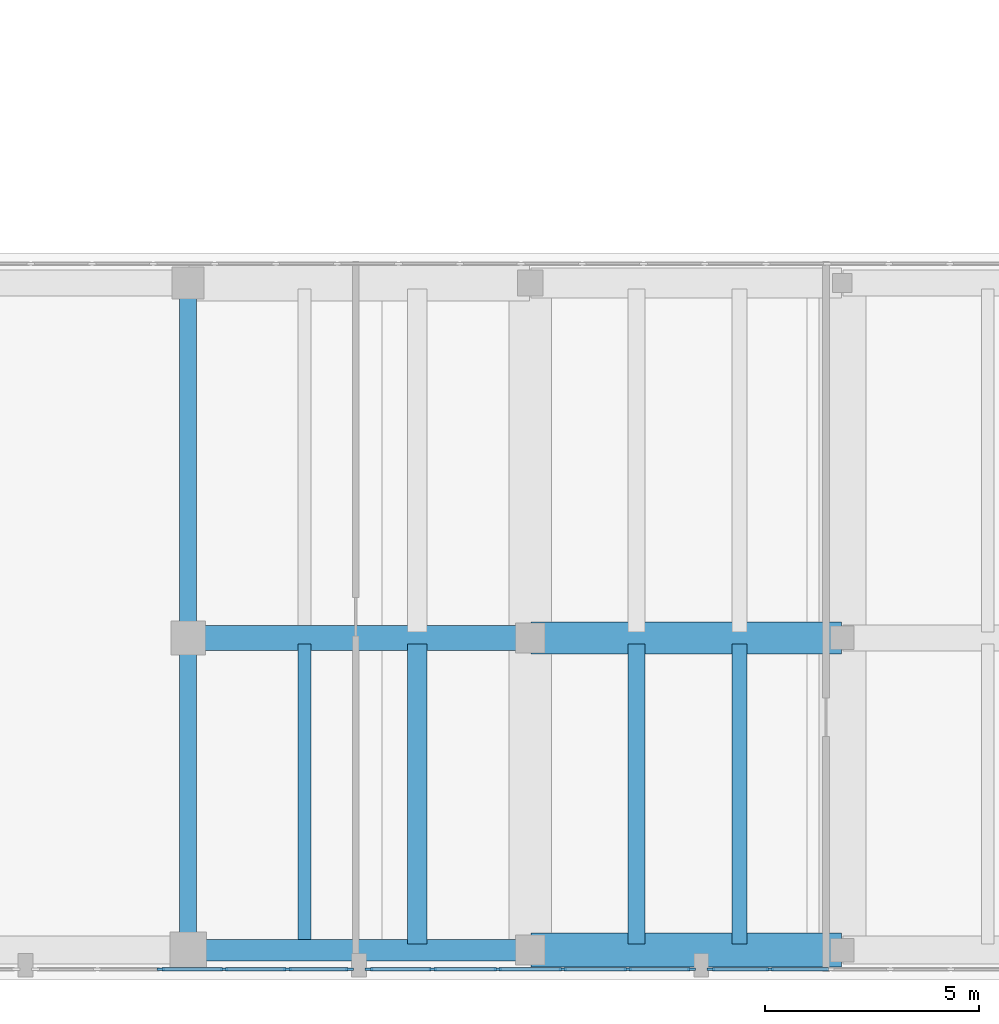
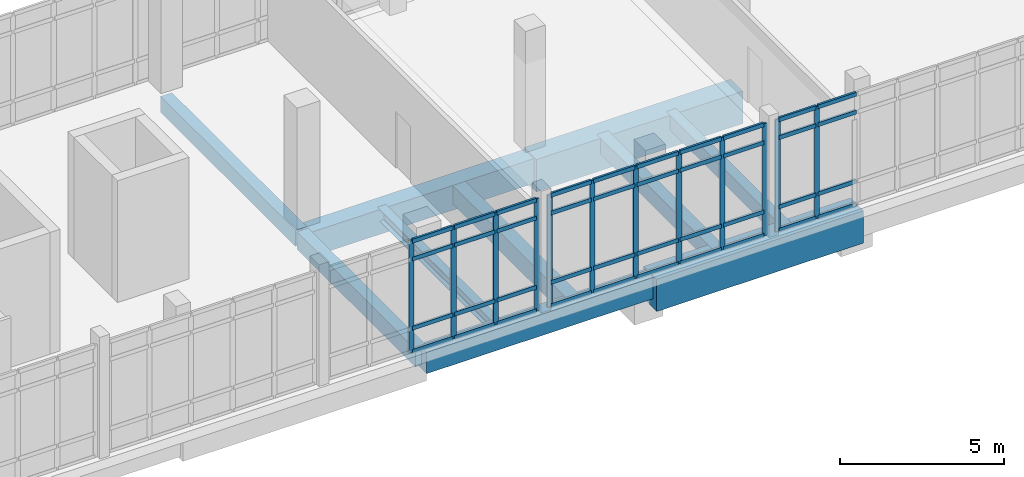
# One storey, part 39 of 89: 52 members, 10 beams, 3 elements without a shape of their own.
"""IFC4 building model written with IfcOpenShell, lengths in metres."""

from ifc_helpers import new_model, si_unit, direction, frame, origin, origin_2d, place, context, subcontext, project, spatial, rectangle, i_section, extrude, material, material_profile, profile_set, type_object, element, aggregate, save


model = new_model("IFC4")

# Units and contexts
model_context = context("Model", 3, precision=1e-05, world=origin(), true_north=direction((0.0, 1.0)))
body_context = subcontext(model_context, "Body", "Model", "MODEL_VIEW")
ifc_project = project(units=[si_unit("LENGTHUNIT", "METRE"), si_unit("AREAUNIT", "SQUARE_METRE"), si_unit("VOLUMEUNIT", "CUBIC_METRE"), si_unit("PLANEANGLEUNIT", "RADIAN"), si_unit("MASSUNIT", "GRAM", prefix="KILO")], contexts=[model_context])

# Site, building, storey
site_placement = place(None, origin())
site = spatial("IfcSite", under=ifc_project, at=site_placement, CompositionType="ELEMENT")
building_placement = place(site_placement, origin())
building = spatial("IfcBuilding", under=site, at=building_placement, Name="Soyqirgoq Riverine Aquarium", CompositionType="ELEMENT")
storey_placement = place(building_placement, frame((0.0, 0.0, 5.39990234375)))
storey = spatial("IfcBuildingStorey", under=building, at=storey_placement, Name="L02", CompositionType="ELEMENT", Elevation=5.39990234375)

# Beams
ifc_material_1 = material(Name="Concrete C40/50", Category="concrete")
ifc_material_profile_1 = material_profile(ifc_material_1, rectangle(XDim=0.39990234375, YDim=0.60009765625, at=origin_2d()), Name="RC 400x600")
ifc_profile_set_1 = profile_set([ifc_material_profile_1], Name="Concrete C40/50")
beam_type_1 = type_object("IfcBeamType", Name="Beam_RC_400x600", PredefinedType="JOIST", material=ifc_profile_set_1)
beam_1_placement = place(storey_placement, frame((138.0, 9.550048828125, -0.64990234375), z_axis=(0.0, 1.0, 0.0), x_axis=(-1.0, 0.0, 0.0)))
element("IfcBeam", 1, at=beam_1_placement, inside=storey, type_object=beam_type_1, Name="V6 L02 North-South Frame Beam 1115", PredefinedType="JOIST", context=body_context, shape_type="SweptSolid", body=[
    extrude(rectangle(XDim=0.39990234375, YDim=0.60009765625, at=origin_2d()), origin(), (0.0, 0.0, 1.0), 8.199951171875),
])
beam_2_placement = place(storey_placement, frame((148.48193359375, 2.340087890625, -0.64990234375), z_axis=(0.0, 1.0, 0.0), x_axis=(-1.0, 0.0, 0.0)))
element("IfcBeam", 2, at=beam_2_placement, inside=storey, type_object=beam_type_1, Name="V6 L02 Secondary Bay Joist 1130", PredefinedType="JOIST", context=body_context, shape_type="SweptSolid", body=[
    extrude(rectangle(XDim=0.39990234375, YDim=0.60009765625, at=origin_2d()), origin(), (0.0, 0.0, 1.0), 7.02001953125),
])
ifc_material_2 = material(Name="Concrete C40/50", Category="concrete")
ifc_material_profile_2 = material_profile(ifc_material_2, rectangle(XDim=0.39990234375, YDim=0.64990234375, at=origin_2d()), Name="RC 400x650")
ifc_profile_set_2 = profile_set([ifc_material_profile_2], Name="Concrete C40/50")
beam_type_2 = type_object("IfcBeamType", Name="Beam_RC_400x650", PredefinedType="BEAM", material=ifc_profile_set_2)
beam_3_placement = place(storey_placement, frame((138.0, 2.25, -0.6748046875), z_axis=(0.0, 1.0, 0.0), x_axis=(-1.0, 0.0, 0.0)))
element("IfcBeam", 3, at=beam_3_placement, inside=storey, type_object=beam_type_2, Name="V6 L02 North-South Frame Beam 1113", PredefinedType="BEAM", context=body_context, shape_type="SweptSolid", body=[
    extrude(rectangle(XDim=0.39990234375, YDim=0.64990234375, at=origin_2d()), origin(), (0.0, 0.0, 1.0), 7.199951171875),
])
ifc_material_3 = material(Name="Concrete C40/50", Category="concrete")
ifc_material_profile_3 = material_profile(ifc_material_3, rectangle(XDim=0.449951171875, YDim=0.699951171875, at=origin_2d()), Name="RC 450x700")
ifc_profile_set_3 = profile_set([ifc_material_profile_3], Name="Concrete C40/50")
beam_type_3 = type_object("IfcBeamType", Name="Beam_RC_450x700", PredefinedType="BEAM", material=ifc_profile_set_3)
beam_4_placement = place(storey_placement, frame((143.360107421875, 2.340087890625, -0.699951171875), z_axis=(0.0, 1.0, 0.0), x_axis=(-1.0, 0.0, 0.0)))
element("IfcBeam", 4, at=beam_4_placement, inside=storey, type_object=beam_type_3, Name="V6 L02 Secondary Bay Joist 1129", PredefinedType="BEAM", context=body_context, shape_type="SweptSolid", body=[
    extrude(rectangle(XDim=0.449951171875, YDim=0.699951171875, at=origin_2d()), origin(), (0.0, 0.0, 1.0), 7.02001953125),
])

# Curtain wall, members
ifc_material_4 = material(Name="Anodised aluminium thermally broken gallery curtain wall", Category="aluminium")
curtain_wall_type = type_object("IfcCurtainWallType", Name="CW_Pavilion_Ribbon", PredefinedType="NOTDEFINED", material=ifc_material_4)
curtain_wall_1_placement = place(storey_placement, origin())
curtain_wall_1 = element("IfcCurtainWall", 5, at=curtain_wall_1_placement, inside=storey, type_object=curtain_wall_type, Name="V6 L02 Curtain Wall 113", PredefinedType="NOTDEFINED")
ifc_material_5 = material(Name="Anodised aluminium 6063-T6", Category="aluminium")
ifc_material_profile_4 = material_profile(ifc_material_5, rectangle(XDim=0.06494140625, YDim=0.179931640625, at=origin_2d()), Name="ALU-M 65x180")
ifc_profile_set_4 = profile_set([ifc_material_profile_4], Name="Anodised aluminium 6063-T6")
member_type_1 = type_object("IfcMemberType", Name="CWMullion_65x180", PredefinedType="MULLION", material=ifc_profile_set_4)
member_1_placement = place(storey_placement, frame((151.6044921875, 1.75, 0.0), z_axis=(0.0, 0.0, 1.0), x_axis=(0.0, -1.0, 0.0)))
member_1 = element("IfcMember", 6, at=member_1_placement, type_object=member_type_1, Name="CW-05 mullion 9", PredefinedType="MULLION", context=body_context, shape_type="SweptSolid", body=[
    extrude(rectangle(XDim=0.06494140625, YDim=0.179931640625, at=origin_2d()), origin(), (0.0, 0.0, 1.0), 4.170166015625),
])
member_2_placement = place(storey_placement, frame((150.2275390625, 1.75, 0.0), z_axis=(0.0, 0.0, 1.0), x_axis=(0.0, -1.0, 0.0)))
member_2 = element("IfcMember", 7, at=member_2_placement, type_object=member_type_1, Name="CW-05 mullion 10", PredefinedType="MULLION", context=body_context, shape_type="SweptSolid", body=[
    extrude(rectangle(XDim=0.06494140625, YDim=0.179931640625, at=origin_2d()), origin(), (0.0, 0.0, 1.0), 4.170166015625),
])

curtain_wall_2_placement = place(storey_placement, origin())
curtain_wall_2 = element("IfcCurtainWall", 8, at=curtain_wall_2_placement, inside=storey, type_object=curtain_wall_type, Name="V6 L02 Curtain Wall 114", PredefinedType="NOTDEFINED")
member_3_placement = place(storey_placement, frame((149.7724609375, 1.75, 0.0), z_axis=(0.0, 0.0, 1.0), x_axis=(0.0, -1.0, 0.0)))
member_3 = element("IfcMember", 9, at=member_3_placement, type_object=member_type_1, Name="CW-05 mullion 1", PredefinedType="MULLION", context=body_context, shape_type="SweptSolid", body=[
    extrude(rectangle(XDim=0.06494140625, YDim=0.179931640625, at=origin_2d()), origin(), (0.0, 0.0, 1.0), 4.170166015625),
])
member_4_placement = place(storey_placement, frame((148.282958984375, 1.75, 0.0), z_axis=(0.0, 0.0, 1.0), x_axis=(0.0, -1.0, 0.0)))
member_4 = element("IfcMember", 10, at=member_4_placement, type_object=member_type_1, Name="CW-05 mullion 2", PredefinedType="MULLION", context=body_context, shape_type="SweptSolid", body=[
    extrude(rectangle(XDim=0.06494140625, YDim=0.179931640625, at=origin_2d()), origin(), (0.0, 0.0, 1.0), 4.170166015625),
])
member_5_placement = place(storey_placement, frame((146.760986328125, 1.75, 0.0), z_axis=(0.0, 0.0, 1.0), x_axis=(0.0, -1.0, 0.0)))
member_5 = element("IfcMember", 11, at=member_5_placement, type_object=member_type_1, Name="CW-05 mullion 3", PredefinedType="MULLION", context=body_context, shape_type="SweptSolid", body=[
    extrude(rectangle(XDim=0.06494140625, YDim=0.179931640625, at=origin_2d()), origin(), (0.0, 0.0, 1.0), 4.170166015625),
])
member_6_placement = place(storey_placement, frame((145.239013671875, 1.75, 0.0), z_axis=(0.0, 0.0, 1.0), x_axis=(0.0, -1.0, 0.0)))
member_6 = element("IfcMember", 12, at=member_6_placement, type_object=member_type_1, Name="CW-05 mullion 4", PredefinedType="MULLION", context=body_context, shape_type="SweptSolid", body=[
    extrude(rectangle(XDim=0.06494140625, YDim=0.179931640625, at=origin_2d()), origin(), (0.0, 0.0, 1.0), 4.170166015625),
])
member_7_placement = place(storey_placement, frame((143.717041015625, 1.75, 0.0), z_axis=(0.0, 0.0, 1.0), x_axis=(0.0, -1.0, 0.0)))
member_7 = element("IfcMember", 13, at=member_7_placement, type_object=member_type_1, Name="CW-05 mullion 5", PredefinedType="MULLION", context=body_context, shape_type="SweptSolid", body=[
    extrude(rectangle(XDim=0.06494140625, YDim=0.179931640625, at=origin_2d()), origin(), (0.0, 0.0, 1.0), 4.170166015625),
])
member_8_placement = place(storey_placement, frame((142.2275390625, 1.75, 0.0), z_axis=(0.0, 0.0, 1.0), x_axis=(0.0, -1.0, 0.0)))
member_8 = element("IfcMember", 14, at=member_8_placement, type_object=member_type_1, Name="CW-05 mullion 6", PredefinedType="MULLION", context=body_context, shape_type="SweptSolid", body=[
    extrude(rectangle(XDim=0.06494140625, YDim=0.179931640625, at=origin_2d()), origin(), (0.0, 0.0, 1.0), 4.170166015625),
])

curtain_wall_3_placement = place(storey_placement, origin())
curtain_wall_3 = element("IfcCurtainWall", 15, at=curtain_wall_3_placement, inside=storey, type_object=curtain_wall_type, Name="V6 L02 Curtain Wall 115", PredefinedType="NOTDEFINED")
member_9_placement = place(storey_placement, frame((141.7724609375, 1.75, 0.0), z_axis=(0.0, 0.0, 1.0), x_axis=(0.0, -1.0, 0.0)))
member_9 = element("IfcMember", 16, at=member_9_placement, type_object=member_type_1, Name="CW-05 mullion 1", PredefinedType="MULLION", context=body_context, shape_type="SweptSolid", body=[
    extrude(rectangle(XDim=0.06494140625, YDim=0.179931640625, at=origin_2d()), origin(), (0.0, 0.0, 1.0), 4.170166015625),
])
member_10_placement = place(storey_placement, frame((140.322998046875, 1.75, 0.0), z_axis=(0.0, 0.0, 1.0), x_axis=(0.0, -1.0, 0.0)))
member_10 = element("IfcMember", 17, at=member_10_placement, type_object=member_type_1, Name="CW-05 mullion 2", PredefinedType="MULLION", context=body_context, shape_type="SweptSolid", body=[
    extrude(rectangle(XDim=0.06494140625, YDim=0.179931640625, at=origin_2d()), origin(), (0.0, 0.0, 1.0), 4.170166015625),
])
member_11_placement = place(storey_placement, frame((138.841064453125, 1.75, 0.0), z_axis=(0.0, 0.0, 1.0), x_axis=(0.0, -1.0, 0.0)))
member_11 = element("IfcMember", 18, at=member_11_placement, type_object=member_type_1, Name="CW-05 mullion 3", PredefinedType="MULLION", context=body_context, shape_type="SweptSolid", body=[
    extrude(rectangle(XDim=0.06494140625, YDim=0.179931640625, at=origin_2d()), origin(), (0.0, 0.0, 1.0), 4.170166015625),
])
member_12_placement = place(storey_placement, frame((137.35888671875, 1.75, 0.0), z_axis=(0.0, 0.0, 1.0), x_axis=(0.0, -1.0, 0.0)))
member_12 = element("IfcMember", 19, at=member_12_placement, type_object=member_type_1, Name="CW-05 mullion 4", PredefinedType="MULLION", context=body_context, shape_type="SweptSolid", body=[
    extrude(rectangle(XDim=0.06494140625, YDim=0.179931640625, at=origin_2d()), origin(), (0.0, 0.0, 1.0), 4.170166015625),
])

# Member
ifc_material_6 = material(Name="Anodised aluminium 6063-T6", Category="aluminium")
ifc_material_profile_5 = material_profile(ifc_material_6, rectangle(XDim=0.074951171875, YDim=0.14990234375, at=origin_2d()), Name="ALU-T 75x150")
ifc_profile_set_5 = profile_set([ifc_material_profile_5], Name="Anodised aluminium 6063-T6")
member_type_2 = type_object("IfcMemberType", Name="CWTransom_75x150", PredefinedType="USERDEFINED", material=ifc_profile_set_5)
member_13_placement = place(storey_placement, frame((152.9814453125, 1.75, 0.03759765625), z_axis=(-1.0, 0.0, 0.0), x_axis=(0.0, -1.0, 0.0)))
member_13 = element("IfcMember", 20, at=member_13_placement, type_object=member_type_2, Name="CW-05 transom 8.1", ObjectType="TRANSOM", PredefinedType="USERDEFINED", context=body_context, shape_type="SweptSolid", body=[
    extrude(rectangle(XDim=0.074951171875, YDim=0.14990234375, at=origin_2d()), origin(), (0.0, 0.0, 1.0), 1.344482421875),
])

member_14_placement = place(storey_placement, frame((152.9814453125, 1.75, 0.900146484375), z_axis=(-1.0, 0.0, 0.0), x_axis=(0.0, -1.0, 0.0)))
member_14 = element("IfcMember", 21, at=member_14_placement, type_object=member_type_2, Name="CW-05 transom 8.2", ObjectType="TRANSOM", PredefinedType="USERDEFINED", context=body_context, shape_type="SweptSolid", body=[
    extrude(rectangle(XDim=0.074951171875, YDim=0.14990234375, at=origin_2d()), origin(), (0.0, 0.0, 1.0), 1.344482421875),
])

member_15_placement = place(storey_placement, frame((152.9814453125, 1.75, 3.47021484375), z_axis=(-1.0, 0.0, 0.0), x_axis=(0.0, -1.0, 0.0)))
member_15 = element("IfcMember", 22, at=member_15_placement, type_object=member_type_2, Name="CW-05 transom 8.3", ObjectType="TRANSOM", PredefinedType="USERDEFINED", context=body_context, shape_type="SweptSolid", body=[
    extrude(rectangle(XDim=0.074951171875, YDim=0.14990234375, at=origin_2d()), origin(), (0.0, 0.0, 1.0), 1.344482421875),
])

member_16_placement = place(storey_placement, frame((152.9814453125, 1.75, 4.132568359375), z_axis=(-1.0, 0.0, 0.0), x_axis=(0.0, -1.0, 0.0)))
member_16 = element("IfcMember", 23, at=member_16_placement, type_object=member_type_2, Name="CW-05 transom 8.4", ObjectType="TRANSOM", PredefinedType="USERDEFINED", context=body_context, shape_type="SweptSolid", body=[
    extrude(rectangle(XDim=0.074951171875, YDim=0.14990234375, at=origin_2d()), origin(), (0.0, 0.0, 1.0), 1.344482421875),
])

member_17_placement = place(storey_placement, frame((151.572021484375, 1.75, 0.03759765625), z_axis=(-1.0, 0.0, 0.0), x_axis=(0.0, -1.0, 0.0)))
member_17 = element("IfcMember", 24, at=member_17_placement, type_object=member_type_2, Name="CW-05 transom 9.1", ObjectType="TRANSOM", PredefinedType="USERDEFINED", context=body_context, shape_type="SweptSolid", body=[
    extrude(rectangle(XDim=0.074951171875, YDim=0.14990234375, at=origin_2d()), origin(), (0.0, 0.0, 1.0), 1.31201171875),
])

member_18_placement = place(storey_placement, frame((151.572021484375, 1.75, 0.900146484375), z_axis=(-1.0, 0.0, 0.0), x_axis=(0.0, -1.0, 0.0)))
member_18 = element("IfcMember", 25, at=member_18_placement, type_object=member_type_2, Name="CW-05 transom 9.2", ObjectType="TRANSOM", PredefinedType="USERDEFINED", context=body_context, shape_type="SweptSolid", body=[
    extrude(rectangle(XDim=0.074951171875, YDim=0.14990234375, at=origin_2d()), origin(), (0.0, 0.0, 1.0), 1.31201171875),
])

member_19_placement = place(storey_placement, frame((151.572021484375, 1.75, 3.47021484375), z_axis=(-1.0, 0.0, 0.0), x_axis=(0.0, -1.0, 0.0)))
member_19 = element("IfcMember", 26, at=member_19_placement, type_object=member_type_2, Name="CW-05 transom 9.3", ObjectType="TRANSOM", PredefinedType="USERDEFINED", context=body_context, shape_type="SweptSolid", body=[
    extrude(rectangle(XDim=0.074951171875, YDim=0.14990234375, at=origin_2d()), origin(), (0.0, 0.0, 1.0), 1.31201171875),
])

member_20_placement = place(storey_placement, frame((151.572021484375, 1.75, 4.132568359375), z_axis=(-1.0, 0.0, 0.0), x_axis=(0.0, -1.0, 0.0)))
member_20 = element("IfcMember", 27, at=member_20_placement, type_object=member_type_2, Name="CW-05 transom 9.4", ObjectType="TRANSOM", PredefinedType="USERDEFINED", context=body_context, shape_type="SweptSolid", body=[
    extrude(rectangle(XDim=0.074951171875, YDim=0.14990234375, at=origin_2d()), origin(), (0.0, 0.0, 1.0), 1.31201171875),
])

aggregate(curtain_wall_1, [member_1, member_2, member_13, member_14, member_15, member_16, member_17, member_18, member_19, member_20])

member_21_placement = place(storey_placement, frame((149.739990234375, 1.75, 0.03759765625), z_axis=(-1.0, 0.0, 0.0), x_axis=(0.0, -1.0, 0.0)))
member_21 = element("IfcMember", 28, at=member_21_placement, type_object=member_type_2, Name="CW-05 transom 1.1", ObjectType="TRANSOM", PredefinedType="USERDEFINED", context=body_context, shape_type="SweptSolid", body=[
    extrude(rectangle(XDim=0.074951171875, YDim=0.14990234375, at=origin_2d()), origin(), (0.0, 0.0, 1.0), 1.424560546875),
])

member_22_placement = place(storey_placement, frame((149.739990234375, 1.75, 0.900146484375), z_axis=(-1.0, 0.0, 0.0), x_axis=(0.0, -1.0, 0.0)))
member_22 = element("IfcMember", 29, at=member_22_placement, type_object=member_type_2, Name="CW-05 transom 1.2", ObjectType="TRANSOM", PredefinedType="USERDEFINED", context=body_context, shape_type="SweptSolid", body=[
    extrude(rectangle(XDim=0.074951171875, YDim=0.14990234375, at=origin_2d()), origin(), (0.0, 0.0, 1.0), 1.424560546875),
])

member_23_placement = place(storey_placement, frame((149.739990234375, 1.75, 3.47021484375), z_axis=(-1.0, 0.0, 0.0), x_axis=(0.0, -1.0, 0.0)))
member_23 = element("IfcMember", 30, at=member_23_placement, type_object=member_type_2, Name="CW-05 transom 1.3", ObjectType="TRANSOM", PredefinedType="USERDEFINED", context=body_context, shape_type="SweptSolid", body=[
    extrude(rectangle(XDim=0.074951171875, YDim=0.14990234375, at=origin_2d()), origin(), (0.0, 0.0, 1.0), 1.424560546875),
])

member_24_placement = place(storey_placement, frame((149.739990234375, 1.75, 4.132568359375), z_axis=(-1.0, 0.0, 0.0), x_axis=(0.0, -1.0, 0.0)))
member_24 = element("IfcMember", 31, at=member_24_placement, type_object=member_type_2, Name="CW-05 transom 1.4", ObjectType="TRANSOM", PredefinedType="USERDEFINED", context=body_context, shape_type="SweptSolid", body=[
    extrude(rectangle(XDim=0.074951171875, YDim=0.14990234375, at=origin_2d()), origin(), (0.0, 0.0, 1.0), 1.424560546875),
])

member_25_placement = place(storey_placement, frame((148.25048828125, 1.75, 0.03759765625), z_axis=(-1.0, 0.0, 0.0), x_axis=(0.0, -1.0, 0.0)))
member_25 = element("IfcMember", 32, at=member_25_placement, type_object=member_type_2, Name="CW-05 transom 2.1", ObjectType="TRANSOM", PredefinedType="USERDEFINED", context=body_context, shape_type="SweptSolid", body=[
    extrude(rectangle(XDim=0.074951171875, YDim=0.14990234375, at=origin_2d()), origin(), (0.0, 0.0, 1.0), 1.45703125),
])

member_26_placement = place(storey_placement, frame((148.25048828125, 1.75, 0.900146484375), z_axis=(-1.0, 0.0, 0.0), x_axis=(0.0, -1.0, 0.0)))
member_26 = element("IfcMember", 33, at=member_26_placement, type_object=member_type_2, Name="CW-05 transom 2.2", ObjectType="TRANSOM", PredefinedType="USERDEFINED", context=body_context, shape_type="SweptSolid", body=[
    extrude(rectangle(XDim=0.074951171875, YDim=0.14990234375, at=origin_2d()), origin(), (0.0, 0.0, 1.0), 1.45703125),
])

member_27_placement = place(storey_placement, frame((148.25048828125, 1.75, 3.47021484375), z_axis=(-1.0, 0.0, 0.0), x_axis=(0.0, -1.0, 0.0)))
member_27 = element("IfcMember", 34, at=member_27_placement, type_object=member_type_2, Name="CW-05 transom 2.3", ObjectType="TRANSOM", PredefinedType="USERDEFINED", context=body_context, shape_type="SweptSolid", body=[
    extrude(rectangle(XDim=0.074951171875, YDim=0.14990234375, at=origin_2d()), origin(), (0.0, 0.0, 1.0), 1.45703125),
])

member_28_placement = place(storey_placement, frame((148.25048828125, 1.75, 4.132568359375), z_axis=(-1.0, 0.0, 0.0), x_axis=(0.0, -1.0, 0.0)))
member_28 = element("IfcMember", 35, at=member_28_placement, type_object=member_type_2, Name="CW-05 transom 2.4", ObjectType="TRANSOM", PredefinedType="USERDEFINED", context=body_context, shape_type="SweptSolid", body=[
    extrude(rectangle(XDim=0.074951171875, YDim=0.14990234375, at=origin_2d()), origin(), (0.0, 0.0, 1.0), 1.45703125),
])

member_29_placement = place(storey_placement, frame((146.728515625, 1.75, 0.03759765625), z_axis=(-1.0, 0.0, 0.0), x_axis=(0.0, -1.0, 0.0)))
member_29 = element("IfcMember", 36, at=member_29_placement, type_object=member_type_2, Name="CW-05 transom 3.1", ObjectType="TRANSOM", PredefinedType="USERDEFINED", context=body_context, shape_type="SweptSolid", body=[
    extrude(rectangle(XDim=0.074951171875, YDim=0.14990234375, at=origin_2d()), origin(), (0.0, 0.0, 1.0), 1.45703125),
])

member_30_placement = place(storey_placement, frame((146.728515625, 1.75, 0.900146484375), z_axis=(-1.0, 0.0, 0.0), x_axis=(0.0, -1.0, 0.0)))
member_30 = element("IfcMember", 37, at=member_30_placement, type_object=member_type_2, Name="CW-05 transom 3.2", ObjectType="TRANSOM", PredefinedType="USERDEFINED", context=body_context, shape_type="SweptSolid", body=[
    extrude(rectangle(XDim=0.074951171875, YDim=0.14990234375, at=origin_2d()), origin(), (0.0, 0.0, 1.0), 1.45703125),
])

member_31_placement = place(storey_placement, frame((146.728515625, 1.75, 3.47021484375), z_axis=(-1.0, 0.0, 0.0), x_axis=(0.0, -1.0, 0.0)))
member_31 = element("IfcMember", 38, at=member_31_placement, type_object=member_type_2, Name="CW-05 transom 3.3", ObjectType="TRANSOM", PredefinedType="USERDEFINED", context=body_context, shape_type="SweptSolid", body=[
    extrude(rectangle(XDim=0.074951171875, YDim=0.14990234375, at=origin_2d()), origin(), (0.0, 0.0, 1.0), 1.45703125),
])

member_32_placement = place(storey_placement, frame((146.728515625, 1.75, 4.132568359375), z_axis=(-1.0, 0.0, 0.0), x_axis=(0.0, -1.0, 0.0)))
member_32 = element("IfcMember", 39, at=member_32_placement, type_object=member_type_2, Name="CW-05 transom 3.4", ObjectType="TRANSOM", PredefinedType="USERDEFINED", context=body_context, shape_type="SweptSolid", body=[
    extrude(rectangle(XDim=0.074951171875, YDim=0.14990234375, at=origin_2d()), origin(), (0.0, 0.0, 1.0), 1.45703125),
])

member_33_placement = place(storey_placement, frame((145.20654296875, 1.75, 0.03759765625), z_axis=(-1.0, 0.0, 0.0), x_axis=(0.0, -1.0, 0.0)))
member_33 = element("IfcMember", 40, at=member_33_placement, type_object=member_type_2, Name="CW-05 transom 4.1", ObjectType="TRANSOM", PredefinedType="USERDEFINED", context=body_context, shape_type="SweptSolid", body=[
    extrude(rectangle(XDim=0.074951171875, YDim=0.14990234375, at=origin_2d()), origin(), (0.0, 0.0, 1.0), 1.45703125),
])

member_34_placement = place(storey_placement, frame((145.20654296875, 1.75, 0.900146484375), z_axis=(-1.0, 0.0, 0.0), x_axis=(0.0, -1.0, 0.0)))
member_34 = element("IfcMember", 41, at=member_34_placement, type_object=member_type_2, Name="CW-05 transom 4.2", ObjectType="TRANSOM", PredefinedType="USERDEFINED", context=body_context, shape_type="SweptSolid", body=[
    extrude(rectangle(XDim=0.074951171875, YDim=0.14990234375, at=origin_2d()), origin(), (0.0, 0.0, 1.0), 1.45703125),
])

member_35_placement = place(storey_placement, frame((145.20654296875, 1.75, 3.47021484375), z_axis=(-1.0, 0.0, 0.0), x_axis=(0.0, -1.0, 0.0)))
member_35 = element("IfcMember", 42, at=member_35_placement, type_object=member_type_2, Name="CW-05 transom 4.3", ObjectType="TRANSOM", PredefinedType="USERDEFINED", context=body_context, shape_type="SweptSolid", body=[
    extrude(rectangle(XDim=0.074951171875, YDim=0.14990234375, at=origin_2d()), origin(), (0.0, 0.0, 1.0), 1.45703125),
])

member_36_placement = place(storey_placement, frame((145.20654296875, 1.75, 4.132568359375), z_axis=(-1.0, 0.0, 0.0), x_axis=(0.0, -1.0, 0.0)))
member_36 = element("IfcMember", 43, at=member_36_placement, type_object=member_type_2, Name="CW-05 transom 4.4", ObjectType="TRANSOM", PredefinedType="USERDEFINED", context=body_context, shape_type="SweptSolid", body=[
    extrude(rectangle(XDim=0.074951171875, YDim=0.14990234375, at=origin_2d()), origin(), (0.0, 0.0, 1.0), 1.45703125),
])

member_37_placement = place(storey_placement, frame((143.6845703125, 1.75, 0.03759765625), z_axis=(-1.0, 0.0, 0.0), x_axis=(0.0, -1.0, 0.0)))
member_37 = element("IfcMember", 44, at=member_37_placement, type_object=member_type_2, Name="CW-05 transom 5.1", ObjectType="TRANSOM", PredefinedType="USERDEFINED", context=body_context, shape_type="SweptSolid", body=[
    extrude(rectangle(XDim=0.074951171875, YDim=0.14990234375, at=origin_2d()), origin(), (0.0, 0.0, 1.0), 1.424560546875),
])

member_38_placement = place(storey_placement, frame((143.6845703125, 1.75, 0.900146484375), z_axis=(-1.0, 0.0, 0.0), x_axis=(0.0, -1.0, 0.0)))
member_38 = element("IfcMember", 45, at=member_38_placement, type_object=member_type_2, Name="CW-05 transom 5.2", ObjectType="TRANSOM", PredefinedType="USERDEFINED", context=body_context, shape_type="SweptSolid", body=[
    extrude(rectangle(XDim=0.074951171875, YDim=0.14990234375, at=origin_2d()), origin(), (0.0, 0.0, 1.0), 1.424560546875),
])

member_39_placement = place(storey_placement, frame((143.6845703125, 1.75, 3.47021484375), z_axis=(-1.0, 0.0, 0.0), x_axis=(0.0, -1.0, 0.0)))
member_39 = element("IfcMember", 46, at=member_39_placement, type_object=member_type_2, Name="CW-05 transom 5.3", ObjectType="TRANSOM", PredefinedType="USERDEFINED", context=body_context, shape_type="SweptSolid", body=[
    extrude(rectangle(XDim=0.074951171875, YDim=0.14990234375, at=origin_2d()), origin(), (0.0, 0.0, 1.0), 1.424560546875),
])

member_40_placement = place(storey_placement, frame((143.6845703125, 1.75, 4.132568359375), z_axis=(-1.0, 0.0, 0.0), x_axis=(0.0, -1.0, 0.0)))
member_40 = element("IfcMember", 47, at=member_40_placement, type_object=member_type_2, Name="CW-05 transom 5.4", ObjectType="TRANSOM", PredefinedType="USERDEFINED", context=body_context, shape_type="SweptSolid", body=[
    extrude(rectangle(XDim=0.074951171875, YDim=0.14990234375, at=origin_2d()), origin(), (0.0, 0.0, 1.0), 1.424560546875),
])

aggregate(curtain_wall_2, [member_3, member_4, member_5, member_6, member_7, member_8, member_21, member_22, member_23, member_24, member_25, member_26, member_27, member_28, member_29, member_30, member_31, member_32, member_33, member_34, member_35, member_36, member_37, member_38, member_39, member_40])

member_41_placement = place(storey_placement, frame((141.739990234375, 1.75, 0.03759765625), z_axis=(-1.0, 0.0, 0.0), x_axis=(0.0, -1.0, 0.0)))
member_41 = element("IfcMember", 48, at=member_41_placement, type_object=member_type_2, Name="CW-05 transom 1.1", ObjectType="TRANSOM", PredefinedType="USERDEFINED", context=body_context, shape_type="SweptSolid", body=[
    extrude(rectangle(XDim=0.074951171875, YDim=0.14990234375, at=origin_2d()), origin(), (0.0, 0.0, 1.0), 1.384521484375),
])

member_42_placement = place(storey_placement, frame((141.739990234375, 1.75, 0.900146484375), z_axis=(-1.0, 0.0, 0.0), x_axis=(0.0, -1.0, 0.0)))
member_42 = element("IfcMember", 49, at=member_42_placement, type_object=member_type_2, Name="CW-05 transom 1.2", ObjectType="TRANSOM", PredefinedType="USERDEFINED", context=body_context, shape_type="SweptSolid", body=[
    extrude(rectangle(XDim=0.074951171875, YDim=0.14990234375, at=origin_2d()), origin(), (0.0, 0.0, 1.0), 1.384521484375),
])

member_43_placement = place(storey_placement, frame((141.739990234375, 1.75, 3.47021484375), z_axis=(-1.0, 0.0, 0.0), x_axis=(0.0, -1.0, 0.0)))
member_43 = element("IfcMember", 50, at=member_43_placement, type_object=member_type_2, Name="CW-05 transom 1.3", ObjectType="TRANSOM", PredefinedType="USERDEFINED", context=body_context, shape_type="SweptSolid", body=[
    extrude(rectangle(XDim=0.074951171875, YDim=0.14990234375, at=origin_2d()), origin(), (0.0, 0.0, 1.0), 1.384521484375),
])

member_44_placement = place(storey_placement, frame((141.739990234375, 1.75, 4.132568359375), z_axis=(-1.0, 0.0, 0.0), x_axis=(0.0, -1.0, 0.0)))
member_44 = element("IfcMember", 51, at=member_44_placement, type_object=member_type_2, Name="CW-05 transom 1.4", ObjectType="TRANSOM", PredefinedType="USERDEFINED", context=body_context, shape_type="SweptSolid", body=[
    extrude(rectangle(XDim=0.074951171875, YDim=0.14990234375, at=origin_2d()), origin(), (0.0, 0.0, 1.0), 1.384521484375),
])

member_45_placement = place(storey_placement, frame((140.29052734375, 1.75, 0.03759765625), z_axis=(-1.0, 0.0, 0.0), x_axis=(0.0, -1.0, 0.0)))
member_45 = element("IfcMember", 52, at=member_45_placement, type_object=member_type_2, Name="CW-05 transom 2.1", ObjectType="TRANSOM", PredefinedType="USERDEFINED", context=body_context, shape_type="SweptSolid", body=[
    extrude(rectangle(XDim=0.074951171875, YDim=0.14990234375, at=origin_2d()), origin(), (0.0, 0.0, 1.0), 1.4169921875),
])

member_46_placement = place(storey_placement, frame((140.29052734375, 1.75, 0.900146484375), z_axis=(-1.0, 0.0, 0.0), x_axis=(0.0, -1.0, 0.0)))
member_46 = element("IfcMember", 53, at=member_46_placement, type_object=member_type_2, Name="CW-05 transom 2.2", ObjectType="TRANSOM", PredefinedType="USERDEFINED", context=body_context, shape_type="SweptSolid", body=[
    extrude(rectangle(XDim=0.074951171875, YDim=0.14990234375, at=origin_2d()), origin(), (0.0, 0.0, 1.0), 1.4169921875),
])

member_47_placement = place(storey_placement, frame((140.29052734375, 1.75, 3.47021484375), z_axis=(-1.0, 0.0, 0.0), x_axis=(0.0, -1.0, 0.0)))
member_47 = element("IfcMember", 54, at=member_47_placement, type_object=member_type_2, Name="CW-05 transom 2.3", ObjectType="TRANSOM", PredefinedType="USERDEFINED", context=body_context, shape_type="SweptSolid", body=[
    extrude(rectangle(XDim=0.074951171875, YDim=0.14990234375, at=origin_2d()), origin(), (0.0, 0.0, 1.0), 1.4169921875),
])

member_48_placement = place(storey_placement, frame((140.29052734375, 1.75, 4.132568359375), z_axis=(-1.0, 0.0, 0.0), x_axis=(0.0, -1.0, 0.0)))
member_48 = element("IfcMember", 55, at=member_48_placement, type_object=member_type_2, Name="CW-05 transom 2.4", ObjectType="TRANSOM", PredefinedType="USERDEFINED", context=body_context, shape_type="SweptSolid", body=[
    extrude(rectangle(XDim=0.074951171875, YDim=0.14990234375, at=origin_2d()), origin(), (0.0, 0.0, 1.0), 1.4169921875),
])

member_49_placement = place(storey_placement, frame((138.80859375, 1.75, 0.03759765625), z_axis=(-1.0, 0.0, 0.0), x_axis=(0.0, -1.0, 0.0)))
member_49 = element("IfcMember", 56, at=member_49_placement, type_object=member_type_2, Name="CW-05 transom 3.1", ObjectType="TRANSOM", PredefinedType="USERDEFINED", context=body_context, shape_type="SweptSolid", body=[
    extrude(rectangle(XDim=0.074951171875, YDim=0.14990234375, at=origin_2d()), origin(), (0.0, 0.0, 1.0), 1.4169921875),
])

member_50_placement = place(storey_placement, frame((138.80859375, 1.75, 0.900146484375), z_axis=(-1.0, 0.0, 0.0), x_axis=(0.0, -1.0, 0.0)))
member_50 = element("IfcMember", 57, at=member_50_placement, type_object=member_type_2, Name="CW-05 transom 3.2", ObjectType="TRANSOM", PredefinedType="USERDEFINED", context=body_context, shape_type="SweptSolid", body=[
    extrude(rectangle(XDim=0.074951171875, YDim=0.14990234375, at=origin_2d()), origin(), (0.0, 0.0, 1.0), 1.4169921875),
])

member_51_placement = place(storey_placement, frame((138.80859375, 1.75, 3.47021484375), z_axis=(-1.0, 0.0, 0.0), x_axis=(0.0, -1.0, 0.0)))
member_51 = element("IfcMember", 58, at=member_51_placement, type_object=member_type_2, Name="CW-05 transom 3.3", ObjectType="TRANSOM", PredefinedType="USERDEFINED", context=body_context, shape_type="SweptSolid", body=[
    extrude(rectangle(XDim=0.074951171875, YDim=0.14990234375, at=origin_2d()), origin(), (0.0, 0.0, 1.0), 1.4169921875),
])

member_52_placement = place(storey_placement, frame((138.80859375, 1.75, 4.132568359375), z_axis=(-1.0, 0.0, 0.0), x_axis=(0.0, -1.0, 0.0)))
member_52 = element("IfcMember", 59, at=member_52_placement, type_object=member_type_2, Name="CW-05 transom 3.4", ObjectType="TRANSOM", PredefinedType="USERDEFINED", context=body_context, shape_type="SweptSolid", body=[
    extrude(rectangle(XDim=0.074951171875, YDim=0.14990234375, at=origin_2d()), origin(), (0.0, 0.0, 1.0), 1.4169921875),
])

aggregate(curtain_wall_3, [member_9, member_10, member_11, member_12, member_41, member_42, member_43, member_44, member_45, member_46, member_47, member_48, member_49, member_50, member_51, member_52])

# Beams
ifc_material_7 = material(Name="Concrete C40/50", Category="concrete")
ifc_material_profile_6 = material_profile(ifc_material_7, rectangle(XDim=0.5, YDim=0.800048828125, at=origin_2d()), Name="RC 500x800")
ifc_profile_set_6 = profile_set([ifc_material_profile_6], Name="Concrete C40/50")
beam_type_4 = type_object("IfcBeamType", Name="Girder_RC_500x800", PredefinedType="BEAM", material=ifc_profile_set_6)
beam_5_placement = place(storey_placement, frame((138.02001953125, 2.199951171875, -0.75), z_axis=(1.0, 0.0, 0.0), x_axis=(0.0, 1.0, 0.0)))
element("IfcBeam", 60, at=beam_5_placement, inside=storey, type_object=beam_type_4, Name="V6 L02 East-West Frame Girder 1114", PredefinedType="BEAM", context=body_context, shape_type="SweptSolid", body=[
    extrude(rectangle(XDim=0.5, YDim=0.800048828125, at=origin_2d()), origin(), (0.0, 0.0, 1.0), 7.9599609375),
])
ifc_material_8 = material(Name="Concrete C40/50", Category="concrete")
ifc_material_profile_7 = material_profile(ifc_material_8, rectangle(XDim=0.580078125, YDim=0.919921875, at=origin_2d()), Name="RC 580x920")
ifc_profile_set_7 = profile_set([ifc_material_profile_7], Name="Concrete C40/50")
beam_type_5 = type_object("IfcBeamType", Name="Girder_RC_580x920", PredefinedType="BEAM", material=ifc_profile_set_7)
beam_6_placement = place(storey_placement, frame((138.02001953125, 9.5, -0.809814453125), z_axis=(1.0, 0.0, 0.0), x_axis=(0.0, 1.0, 0.0)))
element("IfcBeam", 61, at=beam_6_placement, inside=storey, type_object=beam_type_5, Name="V6 L02 East-West Frame Girder 1116", PredefinedType="BEAM", context=body_context, shape_type="SweptSolid", body=[
    extrude(rectangle(XDim=0.580078125, YDim=0.919921875, at=origin_2d()), origin(), (0.0, 0.0, 1.0), 7.9599609375),
])
ifc_material_9 = material(Name="Concrete C40/50", Category="concrete")
ifc_material_profile_8 = material_profile(ifc_material_9, rectangle(XDim=0.75, YDim=1.199951171875, at=origin_2d()), Name="RC 750x1200")
ifc_profile_set_8 = profile_set([ifc_material_profile_8], Name="Concrete C40/50")
beam_type_6 = type_object("IfcBeamType", Name="Girder_RC_750x1200", PredefinedType="BEAM", material=ifc_profile_set_8)
beam_7_placement = place(storey_placement, frame((146.02001953125, 9.5, -0.949951171875), z_axis=(1.0, 0.0, 0.0), x_axis=(0.0, 1.0, 0.0)))
element("IfcBeam", 62, at=beam_7_placement, inside=storey, type_object=beam_type_6, Name="V6 L02 East-West Frame Girder 1119", PredefinedType="BEAM", context=body_context, shape_type="SweptSolid", body=[
    extrude(rectangle(XDim=0.75, YDim=1.199951171875, at=origin_2d()), origin(), (0.0, 0.0, 1.0), 7.260009765625),
])
ifc_material_10 = material(Name="Concrete C40/50", Category="concrete")
ifc_material_profile_9 = material_profile(ifc_material_10, rectangle(XDim=0.800048828125, YDim=1.199951171875, at=origin_2d()), Name="RC 800x1200")
ifc_profile_set_9 = profile_set([ifc_material_profile_9], Name="Concrete C40/50")
beam_type_7 = type_object("IfcBeamType", Name="Girder_RC_800x1200", PredefinedType="BEAM", material=ifc_profile_set_9)
beam_8_placement = place(storey_placement, frame((146.02001953125, 2.199951171875, -0.949951171875), z_axis=(1.0, 0.0, 0.0), x_axis=(0.0, 1.0, 0.0)))
element("IfcBeam", 63, at=beam_8_placement, inside=storey, type_object=beam_type_7, Name="V6 L02 East-West Frame Girder 1118", PredefinedType="BEAM", context=body_context, shape_type="SweptSolid", body=[
    extrude(rectangle(XDim=0.800048828125, YDim=1.199951171875, at=origin_2d()), origin(), (0.0, 0.0, 1.0), 7.260009765625),
])
ifc_material_11 = material(Name="Structural steel S355", Category="steel")
ifc_material_profile_10 = material_profile(ifc_material_11, i_section(OverallWidth=0.300048828125, OverallDepth=0.43994140625, WebThickness=0.011474609375, FlangeThickness=0.02099609375, FilletRadius=0.027099609375, at=origin_2d()), Name="HEA 450")
ifc_profile_set_10 = profile_set([ifc_material_profile_10], Name="Structural steel S355")
beam_type_8 = type_object("IfcBeamType", Name="SteelBeam_HEA450", PredefinedType="BEAM", material=ifc_profile_set_10)
beam_9_placement = place(storey_placement, frame((140.719970703125, 2.340087890625, -0.56982421875), z_axis=(0.0, 1.0, 0.0), x_axis=(-1.0, 0.0, 0.0)))
element("IfcBeam", 64, at=beam_9_placement, inside=storey, type_object=beam_type_8, Name="V6 L02 Secondary Bay Joist 1128", PredefinedType="BEAM", context=body_context, shape_type="SweptSolid", body=[
    extrude(i_section(OverallWidth=0.300048828125, OverallDepth=0.43994140625, WebThickness=0.011474609375, FlangeThickness=0.02099609375, FilletRadius=0.027099609375, at=origin_2d()), origin(), (0.0, 0.0, 1.0), 7.02001953125),
])
ifc_material_12 = material(Name="Concrete C40/50", Category="concrete")
ifc_material_profile_11 = material_profile(ifc_material_12, rectangle(XDim=0.35009765625, YDim=0.550048828125, at=origin_2d()), Name="RC 350x550")
ifc_profile_set_11 = profile_set([ifc_material_profile_11], Name="Concrete C40/50")
beam_type_9 = type_object("IfcBeamType", Name="TBeam_RC_350x550", PredefinedType="T_BEAM", material=ifc_profile_set_11)
beam_10_placement = place(storey_placement, frame((150.89111328125, 2.340087890625, -0.625), z_axis=(0.0, 1.0, 0.0), x_axis=(-1.0, 0.0, 0.0)))
element("IfcBeam", 65, at=beam_10_placement, inside=storey, type_object=beam_type_9, Name="V6 L02 Secondary Bay Joist 1131", PredefinedType="T_BEAM", context=body_context, shape_type="SweptSolid", body=[
    extrude(rectangle(XDim=0.35009765625, YDim=0.550048828125, at=origin_2d()), origin(), (0.0, 0.0, 1.0), 7.02001953125),
])

save(model, "model.ifc")
